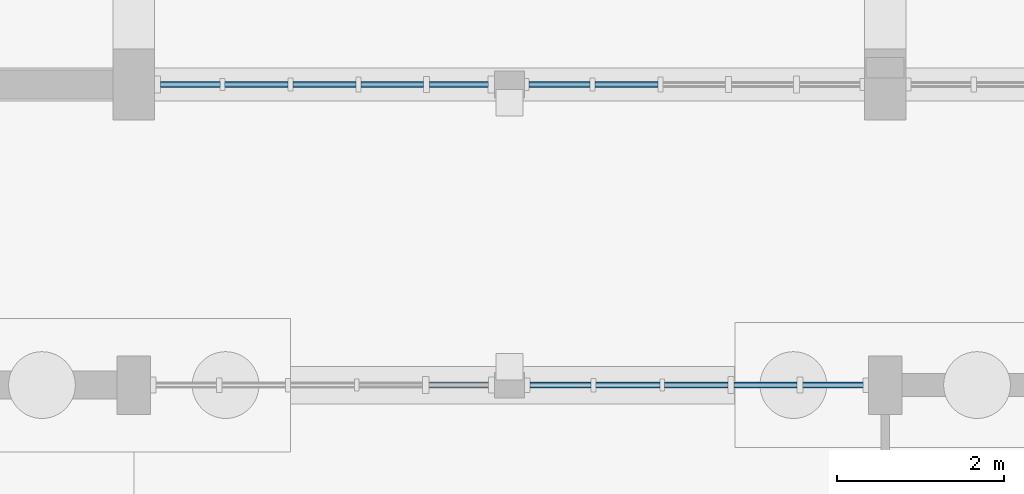
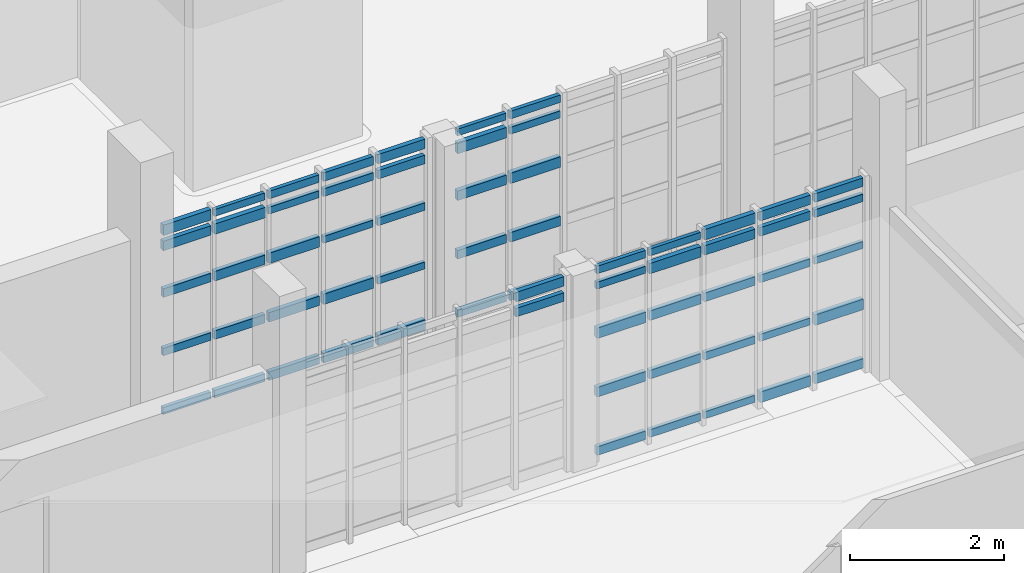
# One storey, part 22 of 63: 62 members, 4 elements without a shape of their own.
"""IFC4 building model written with IfcOpenShell, lengths in metres."""

from ifc_helpers import new_model, si_unit, direction, frame, origin, origin_2d, place, context, subcontext, project, spatial, rectangle, extrude, material, material_profile, profile_set, type_object, element, aggregate, save


model = new_model("IFC4")

# Units and contexts
model_context = context("Model", 3, precision=1e-05, world=origin(), true_north=direction((0.0, 1.0)))
body_context = subcontext(model_context, "Body", "Model", "MODEL_VIEW")
ifc_project = project(units=[si_unit("LENGTHUNIT", "METRE"), si_unit("AREAUNIT", "SQUARE_METRE"), si_unit("VOLUMEUNIT", "CUBIC_METRE"), si_unit("PLANEANGLEUNIT", "RADIAN"), si_unit("MASSUNIT", "GRAM", prefix="KILO")], contexts=[model_context])

# Site, building, storey
site_placement = place(None, origin())
site = spatial("IfcSite", under=ifc_project, at=site_placement, CompositionType="ELEMENT")
building_placement = place(site_placement, origin())
building = spatial("IfcBuilding", under=site, at=building_placement, Name="Serraforn Aerial Cableway Station", CompositionType="ELEMENT")
storey_placement = place(building_placement, origin())
storey = spatial("IfcBuildingStorey", under=building, at=storey_placement, Name="L00", CompositionType="ELEMENT", Elevation=0.0)

# Curtain wall, members
ifc_material_1 = material(Name="Anodised bronze unitised curtain wall")
curtain_wall_type_1 = type_object("IfcCurtainWallType", Name="CW-SYS-19", PredefinedType="USERDEFINED", material=ifc_material_1)
curtain_wall_1_placement = place(storey_placement, origin())
curtain_wall_1 = element("IfcCurtainWall", 1, at=curtain_wall_1_placement, inside=storey, type_object=curtain_wall_type_1, Name="Unitised Curtain Wall CW-CF-L00-N3A", ObjectType="UNITISED CURTAIN WALL", PredefinedType="USERDEFINED")
ifc_material_2 = material(Name="Anodised bronze extruded aluminium", Category="aluminium")
ifc_material_profile_1 = material_profile(ifc_material_2, rectangle(XDim=0.054931640625, YDim=0.110107421875, at=origin_2d()), Name="CW TRANSOM 55x110")
ifc_profile_set_1 = profile_set([ifc_material_profile_1], Name="Anodised bronze extruded aluminium")
member_type_1 = type_object("IfcMemberType", Name="CW-TRN-1", PredefinedType="USERDEFINED", material=ifc_profile_set_1)
member_1_placement = place(storey_placement, frame((54.339111328125, 14.39990234375, 1.996826171875), z_axis=(-1.0, 0.0, 0.0), x_axis=(0.0, -1.0, 0.0)))
member_1 = element("IfcMember", 2, at=member_1_placement, type_object=member_type_1, Name="Curtain Wall Transom CW-CF-L00-N3A-T1-3", ObjectType="TRANSOM", PredefinedType="USERDEFINED", context=body_context, shape_type="SweptSolid", body=[
    extrude(rectangle(XDim=0.054931640625, YDim=0.110107421875, at=origin_2d()), origin(), (0.0, 0.0, 1.0), 0.728515625),
])
member_2_placement = place(storey_placement, frame((53.544677734375, 14.39990234375, 1.060791015625), z_axis=(-1.0, 0.0, 0.0), x_axis=(0.0, -1.0, 0.0)))
member_2 = element("IfcMember", 3, at=member_2_placement, type_object=member_type_1, Name="Curtain Wall Transom CW-CF-L00-N3A-T2-2", ObjectType="TRANSOM", PredefinedType="USERDEFINED", context=body_context, shape_type="SweptSolid", body=[
    extrude(rectangle(XDim=0.054931640625, YDim=0.110107421875, at=origin_2d()), origin(), (0.0, 0.0, 1.0), 0.755859375),
])
member_3_placement = place(storey_placement, frame((52.7177734375, 14.39990234375, 0.124755859375), z_axis=(-1.0, 0.0, 0.0), x_axis=(0.0, -1.0, 0.0)))
member_3 = element("IfcMember", 4, at=member_3_placement, type_object=member_type_1, Name="Curtain Wall Transom CW-CF-L00-N3A-T3-1", ObjectType="TRANSOM", PredefinedType="USERDEFINED", context=body_context, shape_type="SweptSolid", body=[
    extrude(rectangle(XDim=0.054931640625, YDim=0.110107421875, at=origin_2d()), origin(), (0.0, 0.0, 1.0), 0.763427734375),
])
member_4_placement = place(storey_placement, frame((51.9033203125, 14.39990234375, 2.9951171875), z_axis=(-1.0, 0.0, 0.0), x_axis=(0.0, -1.0, 0.0)))
member_4 = element("IfcMember", 5, at=member_4_placement, type_object=member_type_1, Name="Curtain Wall Transom CW-CF-L00-N3A-T4-5", ObjectType="TRANSOM", PredefinedType="USERDEFINED", context=body_context, shape_type="SweptSolid", body=[
    extrude(rectangle(XDim=0.054931640625, YDim=0.110107421875, at=origin_2d()), origin(), (0.0, 0.0, 1.0), 0.77099609375),
])
member_5_placement = place(storey_placement, frame((51.076416015625, 14.39990234375, 2.74560546875), z_axis=(-1.0, 0.0, 0.0), x_axis=(0.0, -1.0, 0.0)))
member_5 = element("IfcMember", 6, at=member_5_placement, type_object=member_type_1, Name="Curtain Wall Transom CW-CF-L00-N3A-T5-4", ObjectType="TRANSOM", PredefinedType="USERDEFINED", context=body_context, shape_type="SweptSolid", body=[
    extrude(rectangle(XDim=0.054931640625, YDim=0.110107421875, at=origin_2d()), origin(), (0.0, 0.0, 1.0), 0.7333984375),
])

curtain_wall_type_2 = type_object("IfcCurtainWallType", Name="CW-SYS-3", PredefinedType="USERDEFINED", material=ifc_material_1)
curtain_wall_2_placement = place(storey_placement, origin())
curtain_wall_2 = element("IfcCurtainWall", 7, at=curtain_wall_2_placement, inside=storey, type_object=curtain_wall_type_2, Name="Unitised Curtain Wall CW-CV-L00-S3A", ObjectType="UNITISED CURTAIN WALL", PredefinedType="USERDEFINED")
member_6_placement = place(storey_placement, frame((45.9208984375, 18.0, 0.124755859375), z_axis=(1.0, 0.0, 0.0), x_axis=(0.0, 1.0, 0.0)))
member_6 = element("IfcMember", 8, at=member_6_placement, type_object=member_type_1, Name="Curtain Wall Transom CW-CV-L00-S3A-T1-1", ObjectType="TRANSOM", PredefinedType="USERDEFINED", context=body_context, shape_type="SweptSolid", body=[
    extrude(rectangle(XDim=0.054931640625, YDim=0.110107421875, at=origin_2d()), origin(), (0.0, 0.0, 1.0), 0.716064453125),
])
member_7_placement = place(storey_placement, frame((46.68798828125, 18.0, 2.9951171875), z_axis=(1.0, 0.0, 0.0), x_axis=(0.0, 1.0, 0.0)))
member_7 = element("IfcMember", 9, at=member_7_placement, type_object=member_type_1, Name="Curtain Wall Transom CW-CV-L00-S3A-T2-5", ObjectType="TRANSOM", PredefinedType="USERDEFINED", context=body_context, shape_type="SweptSolid", body=[
    extrude(rectangle(XDim=0.054931640625, YDim=0.110107421875, at=origin_2d()), origin(), (0.0, 0.0, 1.0), 0.7607421875),
])
member_8_placement = place(storey_placement, frame((47.5048828125, 18.0, 2.74560546875), z_axis=(1.0, 0.0, 0.0), x_axis=(0.0, 1.0, 0.0)))
member_8 = element("IfcMember", 10, at=member_8_placement, type_object=member_type_1, Name="Curtain Wall Transom CW-CV-L00-S3A-T3-4", ObjectType="TRANSOM", PredefinedType="USERDEFINED", context=body_context, shape_type="SweptSolid", body=[
    extrude(rectangle(XDim=0.054931640625, YDim=0.110107421875, at=origin_2d()), origin(), (0.0, 0.0, 1.0), 0.755859375),
])
member_9_placement = place(storey_placement, frame((48.32177734375, 18.0, 1.996826171875), z_axis=(1.0, 0.0, 0.0), x_axis=(0.0, 1.0, 0.0)))
member_9 = element("IfcMember", 11, at=member_9_placement, type_object=member_type_1, Name="Curtain Wall Transom CW-CV-L00-S3A-T4-3", ObjectType="TRANSOM", PredefinedType="USERDEFINED", context=body_context, shape_type="SweptSolid", body=[
    extrude(rectangle(XDim=0.054931640625, YDim=0.110107421875, at=origin_2d()), origin(), (0.0, 0.0, 1.0), 0.750732421875),
])
member_10_placement = place(storey_placement, frame((49.138671875, 18.0, 1.060791015625), z_axis=(1.0, 0.0, 0.0), x_axis=(0.0, 1.0, 0.0)))
member_10 = element("IfcMember", 12, at=member_10_placement, type_object=member_type_1, Name="Curtain Wall Transom CW-CV-L00-S3A-T5-2", ObjectType="TRANSOM", PredefinedType="USERDEFINED", context=body_context, shape_type="SweptSolid", body=[
    extrude(rectangle(XDim=0.054931640625, YDim=0.110107421875, at=origin_2d()), origin(), (0.0, 0.0, 1.0), 0.708251953125),
])

curtain_wall_type_3 = type_object("IfcCurtainWallType", Name="CW-SYS-4", PredefinedType="USERDEFINED", material=ifc_material_1)
curtain_wall_3_placement = place(storey_placement, origin())
curtain_wall_3 = element("IfcCurtainWall", 13, at=curtain_wall_3_placement, inside=storey, type_object=curtain_wall_type_3, Name="Unitised Curtain Wall CW-CV-L00-S3B", ObjectType="UNITISED CURTAIN WALL", PredefinedType="USERDEFINED")
member_11_placement = place(storey_placement, frame((50.3330078125, 18.0, 2.9951171875), z_axis=(1.0, 0.0, 0.0), x_axis=(0.0, 1.0, 0.0)))
member_11 = element("IfcMember", 14, at=member_11_placement, type_object=member_type_1, Name="Curtain Wall Transom CW-CV-L00-S3B-T1-5", ObjectType="TRANSOM", PredefinedType="USERDEFINED", context=body_context, shape_type="SweptSolid", body=[
    extrude(rectangle(XDim=0.054931640625, YDim=0.110107421875, at=origin_2d()), origin(), (0.0, 0.0, 1.0), 0.7333984375),
])
member_12_placement = place(storey_placement, frame((51.122314453125, 18.0, 2.74560546875), z_axis=(1.0, 0.0, 0.0), x_axis=(0.0, 1.0, 0.0)))
member_12 = element("IfcMember", 15, at=member_12_placement, type_object=member_type_1, Name="Curtain Wall Transom CW-CV-L00-S3B-T2-4", ObjectType="TRANSOM", PredefinedType="USERDEFINED", context=body_context, shape_type="SweptSolid", body=[
    extrude(rectangle(XDim=0.054931640625, YDim=0.110107421875, at=origin_2d()), origin(), (0.0, 0.0, 1.0), 0.756103515625),
])

# Member
ifc_material_profile_2 = material_profile(ifc_material_2, rectangle(XDim=0.06005859375, YDim=0.1201171875, at=origin_2d()), Name="CW TRANSOM 60x120")
ifc_profile_set_2 = profile_set([ifc_material_profile_2], Name="Anodised bronze extruded aluminium")
member_type_2 = type_object("IfcMemberType", Name="CW-TRN-2", PredefinedType="USERDEFINED", material=ifc_profile_set_2)
member_13_placement = place(storey_placement, frame((54.339111328125, 14.39990234375, 2.74560546875), z_axis=(-1.0, 0.0, 0.0), x_axis=(0.0, -1.0, 0.0)))
member_13 = element("IfcMember", 16, at=member_13_placement, type_object=member_type_2, Name="Curtain Wall Transom CW-CF-L00-N3A-T1-4", ObjectType="TRANSOM", PredefinedType="USERDEFINED", context=body_context, shape_type="SweptSolid", body=[
    extrude(rectangle(XDim=0.06005859375, YDim=0.1201171875, at=origin_2d()), origin(), (0.0, 0.0, 1.0), 0.728515625),
])

member_14_placement = place(storey_placement, frame((53.544677734375, 14.39990234375, 1.996826171875), z_axis=(-1.0, 0.0, 0.0), x_axis=(0.0, -1.0, 0.0)))
member_14 = element("IfcMember", 17, at=member_14_placement, type_object=member_type_2, Name="Curtain Wall Transom CW-CF-L00-N3A-T2-3", ObjectType="TRANSOM", PredefinedType="USERDEFINED", context=body_context, shape_type="SweptSolid", body=[
    extrude(rectangle(XDim=0.06005859375, YDim=0.1201171875, at=origin_2d()), origin(), (0.0, 0.0, 1.0), 0.755859375),
])

member_15_placement = place(storey_placement, frame((52.7177734375, 14.39990234375, 1.060791015625), z_axis=(-1.0, 0.0, 0.0), x_axis=(0.0, -1.0, 0.0)))
member_15 = element("IfcMember", 18, at=member_15_placement, type_object=member_type_2, Name="Curtain Wall Transom CW-CF-L00-N3A-T3-2", ObjectType="TRANSOM", PredefinedType="USERDEFINED", context=body_context, shape_type="SweptSolid", body=[
    extrude(rectangle(XDim=0.06005859375, YDim=0.1201171875, at=origin_2d()), origin(), (0.0, 0.0, 1.0), 0.763427734375),
])

member_16_placement = place(storey_placement, frame((51.9033203125, 14.39990234375, 0.124755859375), z_axis=(-1.0, 0.0, 0.0), x_axis=(0.0, -1.0, 0.0)))
member_16 = element("IfcMember", 19, at=member_16_placement, type_object=member_type_2, Name="Curtain Wall Transom CW-CF-L00-N3A-T4-1", ObjectType="TRANSOM", PredefinedType="USERDEFINED", context=body_context, shape_type="SweptSolid", body=[
    extrude(rectangle(XDim=0.06005859375, YDim=0.1201171875, at=origin_2d()), origin(), (0.0, 0.0, 1.0), 0.77099609375),
])

member_17_placement = place(storey_placement, frame((51.076416015625, 14.39990234375, 2.9951171875), z_axis=(-1.0, 0.0, 0.0), x_axis=(0.0, -1.0, 0.0)))
member_17 = element("IfcMember", 20, at=member_17_placement, type_object=member_type_2, Name="Curtain Wall Transom CW-CF-L00-N3A-T5-5", ObjectType="TRANSOM", PredefinedType="USERDEFINED", context=body_context, shape_type="SweptSolid", body=[
    extrude(rectangle(XDim=0.06005859375, YDim=0.1201171875, at=origin_2d()), origin(), (0.0, 0.0, 1.0), 0.7333984375),
])

member_18_placement = place(storey_placement, frame((45.9208984375, 18.0, 1.060791015625), z_axis=(1.0, 0.0, 0.0), x_axis=(0.0, 1.0, 0.0)))
member_18 = element("IfcMember", 21, at=member_18_placement, type_object=member_type_2, Name="Curtain Wall Transom CW-CV-L00-S3A-T1-2", ObjectType="TRANSOM", PredefinedType="USERDEFINED", context=body_context, shape_type="SweptSolid", body=[
    extrude(rectangle(XDim=0.06005859375, YDim=0.1201171875, at=origin_2d()), origin(), (0.0, 0.0, 1.0), 0.716064453125),
])

member_19_placement = place(storey_placement, frame((46.68798828125, 18.0, 0.124755859375), z_axis=(1.0, 0.0, 0.0), x_axis=(0.0, 1.0, 0.0)))
member_19 = element("IfcMember", 22, at=member_19_placement, type_object=member_type_2, Name="Curtain Wall Transom CW-CV-L00-S3A-T2-1", ObjectType="TRANSOM", PredefinedType="USERDEFINED", context=body_context, shape_type="SweptSolid", body=[
    extrude(rectangle(XDim=0.06005859375, YDim=0.1201171875, at=origin_2d()), origin(), (0.0, 0.0, 1.0), 0.7607421875),
])

member_20_placement = place(storey_placement, frame((47.5048828125, 18.0, 2.9951171875), z_axis=(1.0, 0.0, 0.0), x_axis=(0.0, 1.0, 0.0)))
member_20 = element("IfcMember", 23, at=member_20_placement, type_object=member_type_2, Name="Curtain Wall Transom CW-CV-L00-S3A-T3-5", ObjectType="TRANSOM", PredefinedType="USERDEFINED", context=body_context, shape_type="SweptSolid", body=[
    extrude(rectangle(XDim=0.06005859375, YDim=0.1201171875, at=origin_2d()), origin(), (0.0, 0.0, 1.0), 0.755859375),
])

member_21_placement = place(storey_placement, frame((48.32177734375, 18.0, 2.74560546875), z_axis=(1.0, 0.0, 0.0), x_axis=(0.0, 1.0, 0.0)))
member_21 = element("IfcMember", 24, at=member_21_placement, type_object=member_type_2, Name="Curtain Wall Transom CW-CV-L00-S3A-T4-4", ObjectType="TRANSOM", PredefinedType="USERDEFINED", context=body_context, shape_type="SweptSolid", body=[
    extrude(rectangle(XDim=0.06005859375, YDim=0.1201171875, at=origin_2d()), origin(), (0.0, 0.0, 1.0), 0.750732421875),
])

member_22_placement = place(storey_placement, frame((49.138671875, 18.0, 1.996826171875), z_axis=(1.0, 0.0, 0.0), x_axis=(0.0, 1.0, 0.0)))
member_22 = element("IfcMember", 25, at=member_22_placement, type_object=member_type_2, Name="Curtain Wall Transom CW-CV-L00-S3A-T5-3", ObjectType="TRANSOM", PredefinedType="USERDEFINED", context=body_context, shape_type="SweptSolid", body=[
    extrude(rectangle(XDim=0.06005859375, YDim=0.1201171875, at=origin_2d()), origin(), (0.0, 0.0, 1.0), 0.708251953125),
])

member_23_placement = place(storey_placement, frame((50.3330078125, 18.0, 0.124755859375), z_axis=(1.0, 0.0, 0.0), x_axis=(0.0, 1.0, 0.0)))
member_23 = element("IfcMember", 26, at=member_23_placement, type_object=member_type_2, Name="Curtain Wall Transom CW-CV-L00-S3B-T1-1", ObjectType="TRANSOM", PredefinedType="USERDEFINED", context=body_context, shape_type="SweptSolid", body=[
    extrude(rectangle(XDim=0.06005859375, YDim=0.1201171875, at=origin_2d()), origin(), (0.0, 0.0, 1.0), 0.7333984375),
])

member_24_placement = place(storey_placement, frame((51.122314453125, 18.0, 2.9951171875), z_axis=(1.0, 0.0, 0.0), x_axis=(0.0, 1.0, 0.0)))
member_24 = element("IfcMember", 27, at=member_24_placement, type_object=member_type_2, Name="Curtain Wall Transom CW-CV-L00-S3B-T2-5", ObjectType="TRANSOM", PredefinedType="USERDEFINED", context=body_context, shape_type="SweptSolid", body=[
    extrude(rectangle(XDim=0.06005859375, YDim=0.1201171875, at=origin_2d()), origin(), (0.0, 0.0, 1.0), 0.756103515625),
])

ifc_material_profile_3 = material_profile(ifc_material_2, rectangle(XDim=0.06494140625, YDim=0.135009765625, at=origin_2d()), Name="CW TRANSOM 65x135")
ifc_profile_set_3 = profile_set([ifc_material_profile_3], Name="Anodised bronze extruded aluminium")
member_type_3 = type_object("IfcMemberType", Name="CW-TRN-3", PredefinedType="USERDEFINED", material=ifc_profile_set_3)
member_25_placement = place(storey_placement, frame((54.339111328125, 14.39990234375, 2.9951171875), z_axis=(-1.0, 0.0, 0.0), x_axis=(0.0, -1.0, 0.0)))
member_25 = element("IfcMember", 28, at=member_25_placement, type_object=member_type_3, Name="Curtain Wall Transom CW-CF-L00-N3A-T1-5", ObjectType="TRANSOM", PredefinedType="USERDEFINED", context=body_context, shape_type="SweptSolid", body=[
    extrude(rectangle(XDim=0.06494140625, YDim=0.135009765625, at=origin_2d()), origin(), (0.0, 0.0, 1.0), 0.728515625),
])

member_26_placement = place(storey_placement, frame((53.544677734375, 14.39990234375, 2.74560546875), z_axis=(-1.0, 0.0, 0.0), x_axis=(0.0, -1.0, 0.0)))
member_26 = element("IfcMember", 29, at=member_26_placement, type_object=member_type_3, Name="Curtain Wall Transom CW-CF-L00-N3A-T2-4", ObjectType="TRANSOM", PredefinedType="USERDEFINED", context=body_context, shape_type="SweptSolid", body=[
    extrude(rectangle(XDim=0.06494140625, YDim=0.135009765625, at=origin_2d()), origin(), (0.0, 0.0, 1.0), 0.755859375),
])

member_27_placement = place(storey_placement, frame((52.7177734375, 14.39990234375, 1.996826171875), z_axis=(-1.0, 0.0, 0.0), x_axis=(0.0, -1.0, 0.0)))
member_27 = element("IfcMember", 30, at=member_27_placement, type_object=member_type_3, Name="Curtain Wall Transom CW-CF-L00-N3A-T3-3", ObjectType="TRANSOM", PredefinedType="USERDEFINED", context=body_context, shape_type="SweptSolid", body=[
    extrude(rectangle(XDim=0.06494140625, YDim=0.135009765625, at=origin_2d()), origin(), (0.0, 0.0, 1.0), 0.763427734375),
])

member_28_placement = place(storey_placement, frame((51.9033203125, 14.39990234375, 1.060791015625), z_axis=(-1.0, 0.0, 0.0), x_axis=(0.0, -1.0, 0.0)))
member_28 = element("IfcMember", 31, at=member_28_placement, type_object=member_type_3, Name="Curtain Wall Transom CW-CF-L00-N3A-T4-2", ObjectType="TRANSOM", PredefinedType="USERDEFINED", context=body_context, shape_type="SweptSolid", body=[
    extrude(rectangle(XDim=0.06494140625, YDim=0.135009765625, at=origin_2d()), origin(), (0.0, 0.0, 1.0), 0.77099609375),
])

member_29_placement = place(storey_placement, frame((51.076416015625, 14.39990234375, 0.124755859375), z_axis=(-1.0, 0.0, 0.0), x_axis=(0.0, -1.0, 0.0)))
member_29 = element("IfcMember", 32, at=member_29_placement, type_object=member_type_3, Name="Curtain Wall Transom CW-CF-L00-N3A-T5-1", ObjectType="TRANSOM", PredefinedType="USERDEFINED", context=body_context, shape_type="SweptSolid", body=[
    extrude(rectangle(XDim=0.06494140625, YDim=0.135009765625, at=origin_2d()), origin(), (0.0, 0.0, 1.0), 0.7333984375),
])

# Curtain wall, member
curtain_wall_type_4 = type_object("IfcCurtainWallType", Name="CW-SYS-20", PredefinedType="USERDEFINED", material=ifc_material_1)
curtain_wall_4_placement = place(storey_placement, origin())
curtain_wall_4 = element("IfcCurtainWall", 33, at=curtain_wall_4_placement, inside=storey, type_object=curtain_wall_type_4, Name="Unitised Curtain Wall CW-CF-L00-N3B", ObjectType="UNITISED CURTAIN WALL", PredefinedType="USERDEFINED")
member_30_placement = place(storey_placement, frame((49.85205078125, 14.39990234375, 2.74560546875), z_axis=(-1.0, 0.0, 0.0), x_axis=(0.0, -1.0, 0.0)))
member_30 = element("IfcMember", 34, at=member_30_placement, type_object=member_type_3, Name="Curtain Wall Transom CW-CF-L00-N3B-T1-4", ObjectType="TRANSOM", PredefinedType="USERDEFINED", context=body_context, shape_type="SweptSolid", body=[
    extrude(rectangle(XDim=0.06494140625, YDim=0.135009765625, at=origin_2d()), origin(), (0.0, 0.0, 1.0), 0.720947265625),
])

# Member
member_31_placement = place(storey_placement, frame((45.9208984375, 18.0, 1.996826171875), z_axis=(1.0, 0.0, 0.0), x_axis=(0.0, 1.0, 0.0)))
member_31 = element("IfcMember", 35, at=member_31_placement, type_object=member_type_3, Name="Curtain Wall Transom CW-CV-L00-S3A-T1-3", ObjectType="TRANSOM", PredefinedType="USERDEFINED", context=body_context, shape_type="SweptSolid", body=[
    extrude(rectangle(XDim=0.06494140625, YDim=0.135009765625, at=origin_2d()), origin(), (0.0, 0.0, 1.0), 0.716064453125),
])

member_32_placement = place(storey_placement, frame((46.68798828125, 18.0, 1.060791015625), z_axis=(1.0, 0.0, 0.0), x_axis=(0.0, 1.0, 0.0)))
member_32 = element("IfcMember", 36, at=member_32_placement, type_object=member_type_3, Name="Curtain Wall Transom CW-CV-L00-S3A-T2-2", ObjectType="TRANSOM", PredefinedType="USERDEFINED", context=body_context, shape_type="SweptSolid", body=[
    extrude(rectangle(XDim=0.06494140625, YDim=0.135009765625, at=origin_2d()), origin(), (0.0, 0.0, 1.0), 0.7607421875),
])

member_33_placement = place(storey_placement, frame((47.5048828125, 18.0, 0.124755859375), z_axis=(1.0, 0.0, 0.0), x_axis=(0.0, 1.0, 0.0)))
member_33 = element("IfcMember", 37, at=member_33_placement, type_object=member_type_3, Name="Curtain Wall Transom CW-CV-L00-S3A-T3-1", ObjectType="TRANSOM", PredefinedType="USERDEFINED", context=body_context, shape_type="SweptSolid", body=[
    extrude(rectangle(XDim=0.06494140625, YDim=0.135009765625, at=origin_2d()), origin(), (0.0, 0.0, 1.0), 0.755859375),
])

member_34_placement = place(storey_placement, frame((48.32177734375, 18.0, 2.9951171875), z_axis=(1.0, 0.0, 0.0), x_axis=(0.0, 1.0, 0.0)))
member_34 = element("IfcMember", 38, at=member_34_placement, type_object=member_type_3, Name="Curtain Wall Transom CW-CV-L00-S3A-T4-5", ObjectType="TRANSOM", PredefinedType="USERDEFINED", context=body_context, shape_type="SweptSolid", body=[
    extrude(rectangle(XDim=0.06494140625, YDim=0.135009765625, at=origin_2d()), origin(), (0.0, 0.0, 1.0), 0.750732421875),
])

member_35_placement = place(storey_placement, frame((49.138671875, 18.0, 2.74560546875), z_axis=(1.0, 0.0, 0.0), x_axis=(0.0, 1.0, 0.0)))
member_35 = element("IfcMember", 39, at=member_35_placement, type_object=member_type_3, Name="Curtain Wall Transom CW-CV-L00-S3A-T5-4", ObjectType="TRANSOM", PredefinedType="USERDEFINED", context=body_context, shape_type="SweptSolid", body=[
    extrude(rectangle(XDim=0.06494140625, YDim=0.135009765625, at=origin_2d()), origin(), (0.0, 0.0, 1.0), 0.708251953125),
])

member_36_placement = place(storey_placement, frame((50.3330078125, 18.0, 1.060791015625), z_axis=(1.0, 0.0, 0.0), x_axis=(0.0, 1.0, 0.0)))
member_36 = element("IfcMember", 40, at=member_36_placement, type_object=member_type_3, Name="Curtain Wall Transom CW-CV-L00-S3B-T1-2", ObjectType="TRANSOM", PredefinedType="USERDEFINED", context=body_context, shape_type="SweptSolid", body=[
    extrude(rectangle(XDim=0.06494140625, YDim=0.135009765625, at=origin_2d()), origin(), (0.0, 0.0, 1.0), 0.7333984375),
])

member_37_placement = place(storey_placement, frame((51.122314453125, 18.0, 0.124755859375), z_axis=(1.0, 0.0, 0.0), x_axis=(0.0, 1.0, 0.0)))
member_37 = element("IfcMember", 41, at=member_37_placement, type_object=member_type_3, Name="Curtain Wall Transom CW-CV-L00-S3B-T2-1", ObjectType="TRANSOM", PredefinedType="USERDEFINED", context=body_context, shape_type="SweptSolid", body=[
    extrude(rectangle(XDim=0.06494140625, YDim=0.135009765625, at=origin_2d()), origin(), (0.0, 0.0, 1.0), 0.756103515625),
])

ifc_material_profile_4 = material_profile(ifc_material_2, rectangle(XDim=0.070068359375, YDim=0.14990234375, at=origin_2d()), Name="CW TRANSOM 70x150")
ifc_profile_set_4 = profile_set([ifc_material_profile_4], Name="Anodised bronze extruded aluminium")
member_type_4 = type_object("IfcMemberType", Name="CW-TRN-4", PredefinedType="USERDEFINED", material=ifc_profile_set_4)
member_38_placement = place(storey_placement, frame((54.339111328125, 14.39990234375, 0.124755859375), z_axis=(-1.0, 0.0, 0.0), x_axis=(0.0, -1.0, 0.0)))
member_38 = element("IfcMember", 42, at=member_38_placement, type_object=member_type_4, Name="Curtain Wall Transom CW-CF-L00-N3A-T1-1", ObjectType="TRANSOM", PredefinedType="USERDEFINED", context=body_context, shape_type="SweptSolid", body=[
    extrude(rectangle(XDim=0.070068359375, YDim=0.14990234375, at=origin_2d()), origin(), (0.0, 0.0, 1.0), 0.728515625),
])

member_39_placement = place(storey_placement, frame((53.544677734375, 14.39990234375, 2.9951171875), z_axis=(-1.0, 0.0, 0.0), x_axis=(0.0, -1.0, 0.0)))
member_39 = element("IfcMember", 43, at=member_39_placement, type_object=member_type_4, Name="Curtain Wall Transom CW-CF-L00-N3A-T2-5", ObjectType="TRANSOM", PredefinedType="USERDEFINED", context=body_context, shape_type="SweptSolid", body=[
    extrude(rectangle(XDim=0.070068359375, YDim=0.14990234375, at=origin_2d()), origin(), (0.0, 0.0, 1.0), 0.755859375),
])

member_40_placement = place(storey_placement, frame((52.7177734375, 14.39990234375, 2.74560546875), z_axis=(-1.0, 0.0, 0.0), x_axis=(0.0, -1.0, 0.0)))
member_40 = element("IfcMember", 44, at=member_40_placement, type_object=member_type_4, Name="Curtain Wall Transom CW-CF-L00-N3A-T3-4", ObjectType="TRANSOM", PredefinedType="USERDEFINED", context=body_context, shape_type="SweptSolid", body=[
    extrude(rectangle(XDim=0.070068359375, YDim=0.14990234375, at=origin_2d()), origin(), (0.0, 0.0, 1.0), 0.763427734375),
])

member_41_placement = place(storey_placement, frame((51.9033203125, 14.39990234375, 1.996826171875), z_axis=(-1.0, 0.0, 0.0), x_axis=(0.0, -1.0, 0.0)))
member_41 = element("IfcMember", 45, at=member_41_placement, type_object=member_type_4, Name="Curtain Wall Transom CW-CF-L00-N3A-T4-3", ObjectType="TRANSOM", PredefinedType="USERDEFINED", context=body_context, shape_type="SweptSolid", body=[
    extrude(rectangle(XDim=0.070068359375, YDim=0.14990234375, at=origin_2d()), origin(), (0.0, 0.0, 1.0), 0.77099609375),
])

member_42_placement = place(storey_placement, frame((51.076416015625, 14.39990234375, 1.060791015625), z_axis=(-1.0, 0.0, 0.0), x_axis=(0.0, -1.0, 0.0)))
member_42 = element("IfcMember", 46, at=member_42_placement, type_object=member_type_4, Name="Curtain Wall Transom CW-CF-L00-N3A-T5-2", ObjectType="TRANSOM", PredefinedType="USERDEFINED", context=body_context, shape_type="SweptSolid", body=[
    extrude(rectangle(XDim=0.070068359375, YDim=0.14990234375, at=origin_2d()), origin(), (0.0, 0.0, 1.0), 0.7333984375),
])

member_43_placement = place(storey_placement, frame((49.85205078125, 14.39990234375, 2.9951171875), z_axis=(-1.0, 0.0, 0.0), x_axis=(0.0, -1.0, 0.0)))
member_43 = element("IfcMember", 47, at=member_43_placement, type_object=member_type_4, Name="Curtain Wall Transom CW-CF-L00-N3B-T1-5", ObjectType="TRANSOM", PredefinedType="USERDEFINED", context=body_context, shape_type="SweptSolid", body=[
    extrude(rectangle(XDim=0.070068359375, YDim=0.14990234375, at=origin_2d()), origin(), (0.0, 0.0, 1.0), 0.720947265625),
])

aggregate(curtain_wall_4, [member_30, member_43])

member_44_placement = place(storey_placement, frame((45.9208984375, 18.0, 2.74560546875), z_axis=(1.0, 0.0, 0.0), x_axis=(0.0, 1.0, 0.0)))
member_44 = element("IfcMember", 48, at=member_44_placement, type_object=member_type_4, Name="Curtain Wall Transom CW-CV-L00-S3A-T1-4", ObjectType="TRANSOM", PredefinedType="USERDEFINED", context=body_context, shape_type="SweptSolid", body=[
    extrude(rectangle(XDim=0.070068359375, YDim=0.14990234375, at=origin_2d()), origin(), (0.0, 0.0, 1.0), 0.716064453125),
])

member_45_placement = place(storey_placement, frame((46.68798828125, 18.0, 1.996826171875), z_axis=(1.0, 0.0, 0.0), x_axis=(0.0, 1.0, 0.0)))
member_45 = element("IfcMember", 49, at=member_45_placement, type_object=member_type_4, Name="Curtain Wall Transom CW-CV-L00-S3A-T2-3", ObjectType="TRANSOM", PredefinedType="USERDEFINED", context=body_context, shape_type="SweptSolid", body=[
    extrude(rectangle(XDim=0.070068359375, YDim=0.14990234375, at=origin_2d()), origin(), (0.0, 0.0, 1.0), 0.7607421875),
])

member_46_placement = place(storey_placement, frame((47.5048828125, 18.0, 1.060791015625), z_axis=(1.0, 0.0, 0.0), x_axis=(0.0, 1.0, 0.0)))
member_46 = element("IfcMember", 50, at=member_46_placement, type_object=member_type_4, Name="Curtain Wall Transom CW-CV-L00-S3A-T3-2", ObjectType="TRANSOM", PredefinedType="USERDEFINED", context=body_context, shape_type="SweptSolid", body=[
    extrude(rectangle(XDim=0.070068359375, YDim=0.14990234375, at=origin_2d()), origin(), (0.0, 0.0, 1.0), 0.755859375),
])

member_47_placement = place(storey_placement, frame((48.32177734375, 18.0, 0.124755859375), z_axis=(1.0, 0.0, 0.0), x_axis=(0.0, 1.0, 0.0)))
member_47 = element("IfcMember", 51, at=member_47_placement, type_object=member_type_4, Name="Curtain Wall Transom CW-CV-L00-S3A-T4-1", ObjectType="TRANSOM", PredefinedType="USERDEFINED", context=body_context, shape_type="SweptSolid", body=[
    extrude(rectangle(XDim=0.070068359375, YDim=0.14990234375, at=origin_2d()), origin(), (0.0, 0.0, 1.0), 0.750732421875),
])

member_48_placement = place(storey_placement, frame((49.138671875, 18.0, 2.9951171875), z_axis=(1.0, 0.0, 0.0), x_axis=(0.0, 1.0, 0.0)))
member_48 = element("IfcMember", 52, at=member_48_placement, type_object=member_type_4, Name="Curtain Wall Transom CW-CV-L00-S3A-T5-5", ObjectType="TRANSOM", PredefinedType="USERDEFINED", context=body_context, shape_type="SweptSolid", body=[
    extrude(rectangle(XDim=0.070068359375, YDim=0.14990234375, at=origin_2d()), origin(), (0.0, 0.0, 1.0), 0.708251953125),
])

member_49_placement = place(storey_placement, frame((50.3330078125, 18.0, 1.996826171875), z_axis=(1.0, 0.0, 0.0), x_axis=(0.0, 1.0, 0.0)))
member_49 = element("IfcMember", 53, at=member_49_placement, type_object=member_type_4, Name="Curtain Wall Transom CW-CV-L00-S3B-T1-3", ObjectType="TRANSOM", PredefinedType="USERDEFINED", context=body_context, shape_type="SweptSolid", body=[
    extrude(rectangle(XDim=0.070068359375, YDim=0.14990234375, at=origin_2d()), origin(), (0.0, 0.0, 1.0), 0.7333984375),
])

member_50_placement = place(storey_placement, frame((51.122314453125, 18.0, 1.060791015625), z_axis=(1.0, 0.0, 0.0), x_axis=(0.0, 1.0, 0.0)))
member_50 = element("IfcMember", 54, at=member_50_placement, type_object=member_type_4, Name="Curtain Wall Transom CW-CV-L00-S3B-T2-2", ObjectType="TRANSOM", PredefinedType="USERDEFINED", context=body_context, shape_type="SweptSolid", body=[
    extrude(rectangle(XDim=0.070068359375, YDim=0.14990234375, at=origin_2d()), origin(), (0.0, 0.0, 1.0), 0.756103515625),
])

ifc_material_profile_5 = material_profile(ifc_material_2, rectangle(XDim=0.074951171875, YDim=0.1650390625, at=origin_2d()), Name="CW TRANSOM 75x165")
ifc_profile_set_5 = profile_set([ifc_material_profile_5], Name="Anodised bronze extruded aluminium")
member_type_5 = type_object("IfcMemberType", Name="CW-TRN-5", PredefinedType="USERDEFINED", material=ifc_profile_set_5)
member_51_placement = place(storey_placement, frame((54.339111328125, 14.39990234375, 1.060791015625), z_axis=(-1.0, 0.0, 0.0), x_axis=(0.0, -1.0, 0.0)))
member_51 = element("IfcMember", 55, at=member_51_placement, type_object=member_type_5, Name="Curtain Wall Transom CW-CF-L00-N3A-T1-2", ObjectType="TRANSOM", PredefinedType="USERDEFINED", context=body_context, shape_type="SweptSolid", body=[
    extrude(rectangle(XDim=0.074951171875, YDim=0.1650390625, at=origin_2d()), origin(), (0.0, 0.0, 1.0), 0.728515625),
])

member_52_placement = place(storey_placement, frame((53.544677734375, 14.39990234375, 0.124755859375), z_axis=(-1.0, 0.0, 0.0), x_axis=(0.0, -1.0, 0.0)))
member_52 = element("IfcMember", 56, at=member_52_placement, type_object=member_type_5, Name="Curtain Wall Transom CW-CF-L00-N3A-T2-1", ObjectType="TRANSOM", PredefinedType="USERDEFINED", context=body_context, shape_type="SweptSolid", body=[
    extrude(rectangle(XDim=0.074951171875, YDim=0.1650390625, at=origin_2d()), origin(), (0.0, 0.0, 1.0), 0.755859375),
])

member_53_placement = place(storey_placement, frame((52.7177734375, 14.39990234375, 2.9951171875), z_axis=(-1.0, 0.0, 0.0), x_axis=(0.0, -1.0, 0.0)))
member_53 = element("IfcMember", 57, at=member_53_placement, type_object=member_type_5, Name="Curtain Wall Transom CW-CF-L00-N3A-T3-5", ObjectType="TRANSOM", PredefinedType="USERDEFINED", context=body_context, shape_type="SweptSolid", body=[
    extrude(rectangle(XDim=0.074951171875, YDim=0.1650390625, at=origin_2d()), origin(), (0.0, 0.0, 1.0), 0.763427734375),
])

member_54_placement = place(storey_placement, frame((51.9033203125, 14.39990234375, 2.74560546875), z_axis=(-1.0, 0.0, 0.0), x_axis=(0.0, -1.0, 0.0)))
member_54 = element("IfcMember", 58, at=member_54_placement, type_object=member_type_5, Name="Curtain Wall Transom CW-CF-L00-N3A-T4-4", ObjectType="TRANSOM", PredefinedType="USERDEFINED", context=body_context, shape_type="SweptSolid", body=[
    extrude(rectangle(XDim=0.074951171875, YDim=0.1650390625, at=origin_2d()), origin(), (0.0, 0.0, 1.0), 0.77099609375),
])

member_55_placement = place(storey_placement, frame((51.076416015625, 14.39990234375, 1.996826171875), z_axis=(-1.0, 0.0, 0.0), x_axis=(0.0, -1.0, 0.0)))
member_55 = element("IfcMember", 59, at=member_55_placement, type_object=member_type_5, Name="Curtain Wall Transom CW-CF-L00-N3A-T5-3", ObjectType="TRANSOM", PredefinedType="USERDEFINED", context=body_context, shape_type="SweptSolid", body=[
    extrude(rectangle(XDim=0.074951171875, YDim=0.1650390625, at=origin_2d()), origin(), (0.0, 0.0, 1.0), 0.7333984375),
])

aggregate(curtain_wall_1, [member_38, member_51, member_1, member_13, member_25, member_52, member_2, member_14, member_26, member_39, member_3, member_15, member_27, member_40, member_53, member_16, member_28, member_41, member_54, member_4, member_29, member_42, member_55, member_5, member_17])

member_56_placement = place(storey_placement, frame((45.9208984375, 18.0, 2.9951171875), z_axis=(1.0, 0.0, 0.0), x_axis=(0.0, 1.0, 0.0)))
member_56 = element("IfcMember", 60, at=member_56_placement, type_object=member_type_5, Name="Curtain Wall Transom CW-CV-L00-S3A-T1-5", ObjectType="TRANSOM", PredefinedType="USERDEFINED", context=body_context, shape_type="SweptSolid", body=[
    extrude(rectangle(XDim=0.074951171875, YDim=0.1650390625, at=origin_2d()), origin(), (0.0, 0.0, 1.0), 0.716064453125),
])

member_57_placement = place(storey_placement, frame((46.68798828125, 18.0, 2.74560546875), z_axis=(1.0, 0.0, 0.0), x_axis=(0.0, 1.0, 0.0)))
member_57 = element("IfcMember", 61, at=member_57_placement, type_object=member_type_5, Name="Curtain Wall Transom CW-CV-L00-S3A-T2-4", ObjectType="TRANSOM", PredefinedType="USERDEFINED", context=body_context, shape_type="SweptSolid", body=[
    extrude(rectangle(XDim=0.074951171875, YDim=0.1650390625, at=origin_2d()), origin(), (0.0, 0.0, 1.0), 0.7607421875),
])

member_58_placement = place(storey_placement, frame((47.5048828125, 18.0, 1.996826171875), z_axis=(1.0, 0.0, 0.0), x_axis=(0.0, 1.0, 0.0)))
member_58 = element("IfcMember", 62, at=member_58_placement, type_object=member_type_5, Name="Curtain Wall Transom CW-CV-L00-S3A-T3-3", ObjectType="TRANSOM", PredefinedType="USERDEFINED", context=body_context, shape_type="SweptSolid", body=[
    extrude(rectangle(XDim=0.074951171875, YDim=0.1650390625, at=origin_2d()), origin(), (0.0, 0.0, 1.0), 0.755859375),
])

member_59_placement = place(storey_placement, frame((48.32177734375, 18.0, 1.060791015625), z_axis=(1.0, 0.0, 0.0), x_axis=(0.0, 1.0, 0.0)))
member_59 = element("IfcMember", 63, at=member_59_placement, type_object=member_type_5, Name="Curtain Wall Transom CW-CV-L00-S3A-T4-2", ObjectType="TRANSOM", PredefinedType="USERDEFINED", context=body_context, shape_type="SweptSolid", body=[
    extrude(rectangle(XDim=0.074951171875, YDim=0.1650390625, at=origin_2d()), origin(), (0.0, 0.0, 1.0), 0.750732421875),
])

member_60_placement = place(storey_placement, frame((49.138671875, 18.0, 0.124755859375), z_axis=(1.0, 0.0, 0.0), x_axis=(0.0, 1.0, 0.0)))
member_60 = element("IfcMember", 64, at=member_60_placement, type_object=member_type_5, Name="Curtain Wall Transom CW-CV-L00-S3A-T5-1", ObjectType="TRANSOM", PredefinedType="USERDEFINED", context=body_context, shape_type="SweptSolid", body=[
    extrude(rectangle(XDim=0.074951171875, YDim=0.1650390625, at=origin_2d()), origin(), (0.0, 0.0, 1.0), 0.708251953125),
])

aggregate(curtain_wall_2, [member_6, member_18, member_31, member_44, member_56, member_19, member_32, member_45, member_57, member_7, member_33, member_46, member_58, member_8, member_20, member_47, member_59, member_9, member_21, member_34, member_60, member_10, member_22, member_35, member_48])

member_61_placement = place(storey_placement, frame((50.3330078125, 18.0, 2.74560546875), z_axis=(1.0, 0.0, 0.0), x_axis=(0.0, 1.0, 0.0)))
member_61 = element("IfcMember", 65, at=member_61_placement, type_object=member_type_5, Name="Curtain Wall Transom CW-CV-L00-S3B-T1-4", ObjectType="TRANSOM", PredefinedType="USERDEFINED", context=body_context, shape_type="SweptSolid", body=[
    extrude(rectangle(XDim=0.074951171875, YDim=0.1650390625, at=origin_2d()), origin(), (0.0, 0.0, 1.0), 0.7333984375),
])

member_62_placement = place(storey_placement, frame((51.122314453125, 18.0, 1.996826171875), z_axis=(1.0, 0.0, 0.0), x_axis=(0.0, 1.0, 0.0)))
member_62 = element("IfcMember", 66, at=member_62_placement, type_object=member_type_5, Name="Curtain Wall Transom CW-CV-L00-S3B-T2-3", ObjectType="TRANSOM", PredefinedType="USERDEFINED", context=body_context, shape_type="SweptSolid", body=[
    extrude(rectangle(XDim=0.074951171875, YDim=0.1650390625, at=origin_2d()), origin(), (0.0, 0.0, 1.0), 0.756103515625),
])

aggregate(curtain_wall_3, [member_23, member_36, member_49, member_61, member_11, member_37, member_50, member_62, member_12, member_24])

save(model, "model.ifc")
